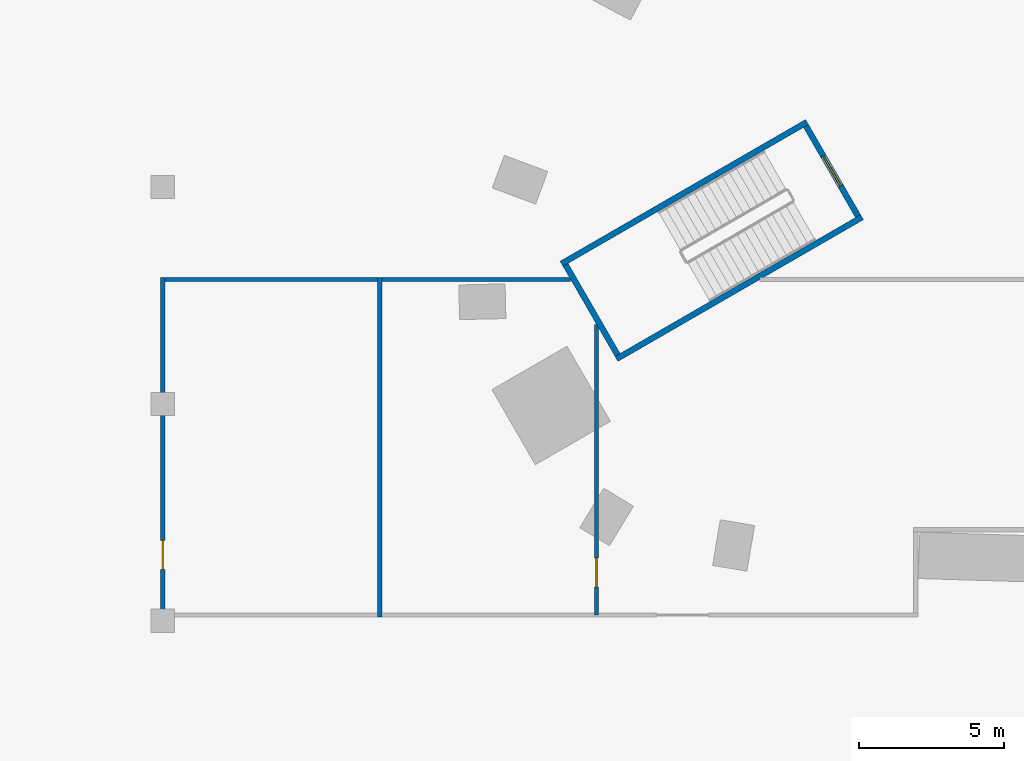
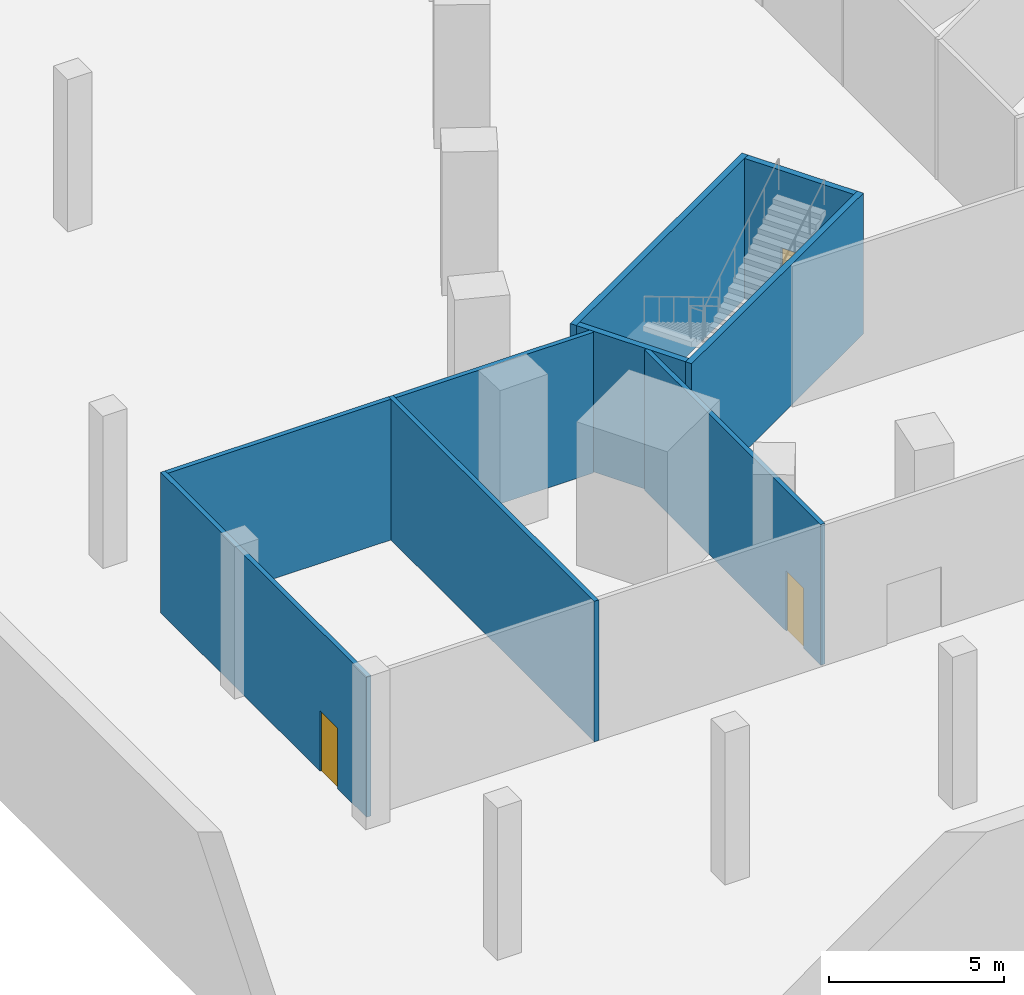
# One storey, part 3 of 20: 9 walls, 3 doors, 3 openings.
"""IFC4 building model written with IfcOpenShell, lengths in metres."""

from ifc_helpers import new_model, si_unit, direction, frame, frame_2d, origin, place, context, subcontext, project, spatial, rectangle, extrude, material, layer, layer_set, type_object, element, fill, save


model = new_model("IFC4")

# Units and contexts
model_context = context("Model", 3, precision=1e-05, world=origin(), true_north=direction((0.0, 1.0)))
body_context = subcontext(model_context, "Body", "Model", "MODEL_VIEW")
ifc_project = project(units=[si_unit("LENGTHUNIT", "METRE"), si_unit("AREAUNIT", "SQUARE_METRE"), si_unit("VOLUMEUNIT", "CUBIC_METRE"), si_unit("PLANEANGLEUNIT", "RADIAN"), si_unit("MASSUNIT", "GRAM", prefix="KILO")], contexts=[model_context])

# Site, building, storey
site_placement = place(None, origin())
site = spatial("IfcSite", under=ifc_project, at=site_placement, CompositionType="ELEMENT")
building_placement = place(site_placement, origin())
building = spatial("IfcBuilding", under=site, at=building_placement, Name="Entoto Arch Interchange Tower", CompositionType="ELEMENT")
storey_placement = place(building_placement, frame((0.0, 0.0, -5.5)))
storey = spatial("IfcBuildingStorey", under=building, at=storey_placement, Name="B1", CompositionType="ELEMENT", Elevation=-5.5)

# Wall
ifc_material_1 = material(Name="Gypsum board partition on steel studs", Category="steel")
ifc_layer_1 = layer(ifc_material_1, 0.14990234375)
ifc_layer_set_1 = layer_set([ifc_layer_1], Name="Gypsum board partition on steel studs")
wall_type_1 = type_object("IfcWallType", Name="PARTITION 150", PredefinedType="PARTITIONING", material=ifc_layer_set_1)
wall_1_placement = place(storey_placement, frame((-52.425048828125, -18.199951171875, 0.0), z_axis=(0.0, 0.0, 1.0), x_axis=(1.0, 0.0, 0.0)))
element("IfcWall", 1, at=wall_1_placement, inside=storey, type_object=wall_type_1, Name="wall:B1:p053", PredefinedType="PARTITIONING", context=body_context, shape_type="SweptSolid", body=[
    extrude(rectangle(XDim=7.35009765625, YDim=0.14990234375, at=frame_2d((3.675048828125, 0.0))), origin(), (0.0, 0.0, 1.0), 4.89990234375),
])

# Wall, opening, door
wall_2_placement = place(storey_placement, frame((-52.5, -29.875, 0.0), z_axis=(0.0, 0.0, 1.0), x_axis=(0.0, 1.0, 0.0)))
wall_2 = element("IfcWall", 2, at=wall_2_placement, inside=storey, type_object=wall_type_1, Name="wall:B1:p055", PredefinedType="PARTITIONING", context=body_context, shape_type="SweptSolid", body=[
    extrude(rectangle(XDim=11.75, YDim=0.14990234375, at=frame_2d((5.875, 0.0))), origin(), (0.0, 0.0, 1.0), 4.89990234375),
])
opening_1_placement = place(wall_2_placement, frame((1.655029296875, 0.0, 0.0)))
opening_1 = element("IfcOpeningElement", 3, at=opening_1_placement, cuts=wall_2, Name="Opening B1-D20", PredefinedType="OPENING", context=body_context, shape_type="SweptSolid", body=[
    extrude(rectangle(XDim=1.0, YDim=2.10009765625, at=frame_2d((0.5, 1.050048828125))), frame((0.0, 0.0849609375, 0.0), z_axis=(0.0, -1.0, 0.0), x_axis=(1.0, 0.0, 0.0)), (0.0, 0.0, 1.0), 0.169921875),
])
ifc_material_2 = material(Name="Timber door leaf in Steel S235 frame", Category="steel")
door_type_1 = type_object("IfcDoorType", Name="DOOR DS-10 1000x2100", OperationType="SINGLE_SWING_LEFT", PredefinedType="DOOR", material=ifc_material_2)
door_1_placement = place(opening_1_placement, origin())
door_1 = element("IfcDoor", 4, at=door_1_placement, inside=storey, type_object=door_type_1, Name="door:B1:20", OperationType="SINGLE_SWING_RIGHT", OverallHeight=2.10009765625, OverallWidth=1.0, PredefinedType="DOOR", context=body_context, shape_type="SweptSolid", body=[
    extrude(rectangle(XDim=1.0, YDim=2.10009765625, at=frame_2d((0.5, 1.050048828125))), frame((0.0, 0.02490234375, 0.0), z_axis=(0.0, -1.0, 0.0), x_axis=(1.0, 0.0, 0.0)), (0.0, 0.0, 1.0), 0.050048828125),
])
fill(opening_1, door_1)

# Walls
wall_3_placement = place(storey_placement, frame((-44.925048828125, -18.199951171875, 0.0), z_axis=(0.0, 0.0, 1.0), x_axis=(1.0, 0.0, 0.0)))
element("IfcWall", 5, at=wall_3_placement, inside=storey, type_object=wall_type_1, Name="wall:B1:p056", PredefinedType="PARTITIONING", context=body_context, shape_type="SweptSolid", body=[
    extrude(rectangle(XDim=6.531005859375, YDim=0.14990234375, at=frame_2d((3.265625, 0.0))), origin(), (0.0, 0.0, 1.0), 4.89990234375),
])
wall_4_placement = place(storey_placement, frame((-45.0, -18.125, 0.0), z_axis=(0.0, 0.0, 1.0), x_axis=(0.0, -1.0, 0.0)))
element("IfcWall", 6, at=wall_4_placement, inside=storey, type_object=wall_type_1, Name="wall:B1:p117", PredefinedType="PARTITIONING", context=body_context, shape_type="SweptSolid", body=[
    extrude(rectangle(XDim=11.75, YDim=0.14990234375, at=frame_2d((5.875, 0.0))), origin(), (0.0, 0.0, 1.0), 4.89990234375),
])

# Wall, opening, door
wall_5_placement = place(storey_placement, frame((-37.5, -19.748046875, 0.0), z_axis=(0.0, 0.0, 1.0), x_axis=(0.0, -1.0, 0.0)))
wall_5 = element("IfcWall", 7, at=wall_5_placement, inside=storey, type_object=wall_type_1, Name="wall:B1:p118", PredefinedType="PARTITIONING", context=body_context, shape_type="SweptSolid", body=[
    extrude(rectangle(XDim=10.052001953125, YDim=0.14990234375, at=frame_2d((5.02587890625, 0.0))), origin(), (0.0, 0.0, 1.0), 4.89990234375),
])
opening_2_placement = place(wall_5_placement, frame((8.080078125, 0.0, 0.0)))
opening_2 = element("IfcOpeningElement", 8, at=opening_2_placement, cuts=wall_5, Name="Opening B1-D21", PredefinedType="OPENING", context=body_context, shape_type="SweptSolid", body=[
    extrude(rectangle(XDim=1.0, YDim=2.10009765625, at=frame_2d((0.5, 1.050048828125))), frame((0.0, 0.0849609375, 0.0), z_axis=(0.0, -1.0, 0.0), x_axis=(1.0, 0.0, 0.0)), (0.0, 0.0, 1.0), 0.169921875),
])
ifc_material_3 = material(Name="Fire-rated Steel S235 door and frame", Category="steel")
door_type_2 = type_object("IfcDoorType", Name="DOOR FD-10 1000x2100", OperationType="SINGLE_SWING_LEFT", PredefinedType="DOOR", material=ifc_material_3)
door_2_placement = place(opening_2_placement, origin())
door_2 = element("IfcDoor", 9, at=door_2_placement, inside=storey, type_object=door_type_2, Name="door:B1:21", OperationType="SINGLE_SWING_LEFT", OverallHeight=2.10009765625, OverallWidth=1.0, PredefinedType="DOOR", context=body_context, shape_type="SweptSolid", body=[
    extrude(rectangle(XDim=1.0, YDim=2.10009765625, at=frame_2d((0.5, 1.050048828125))), frame((0.0, 0.02490234375, 0.0), z_axis=(0.0, -1.0, 0.0), x_axis=(1.0, 0.0, 0.0)), (0.0, 0.0, 1.0), 0.050048828125),
])
fill(opening_2, door_2)

# Walls
ifc_material_4 = material(Name="Concrete C40/50", Category="concrete")
ifc_layer_2 = layer(ifc_material_4, 0.199951171875)
ifc_layer_set_2 = layer_set([ifc_layer_2], Name="Concrete C40/50")
wall_type_2 = type_object("IfcWallType", Name="STAIR ENCLOSURE WALL 200", PredefinedType="STANDARD", material=ifc_layer_set_2)
for number, where, z_axis, x_axis, name in (
    (10, (-30.221923828125, -12.7548828125, 0.0), (0.0, 0.0, 1.0), (-0.866019227021, -0.500010698315, 0.0), "Stair wall PST-SW left"),
    (11, (-28.322021484375, -16.044921875, 0.0), (0.0, 0.0, 1.0), (-0.866019227021, -0.500010698315, 0.0), "Stair wall PST-SW right"),
):
    element("IfcWall", number, at=place(storey_placement, frame(where, z_axis=z_axis, x_axis=x_axis)), inside=storey, type_object=wall_type_2, Name=name, PredefinedType="STANDARD", context=body_context, shape_type="SweptSolid", body=[
        extrude(rectangle(XDim=9.800048828125, YDim=0.199951171875, at=frame_2d((4.89990234375, 0.0))), origin(), (0.0, 0.0, 1.0), 4.89990234375),
    ])

# Wall, opening, door
wall_6_placement = place(storey_placement, frame((-30.258056640625, -12.89111328125, 0.0), z_axis=(0.0, 0.0, 1.0), x_axis=(0.499982693035, -0.866035395735, 0.0)))
wall_6 = element("IfcWall", 12, at=wall_6_placement, inside=storey, type_object=wall_type_2, Name="Stair wall PST-SW near", PredefinedType="STANDARD", context=body_context, shape_type="SweptSolid", body=[
    extrude(rectangle(XDim=3.600341796875, YDim=0.199951171875, at=frame_2d((1.80029296875, 0.0))), origin(), (0.0, 0.0, 1.0), 4.89990234375),
])
opening_3_placement = place(wall_6_placement, frame((1.199951171875, 0.0, 0.0)))
opening_3 = element("IfcOpeningElement", 13, at=opening_3_placement, cuts=wall_6, Name="Opening SD-PST-SW-B1", PredefinedType="OPENING", context=body_context, shape_type="SweptSolid", body=[
    extrude(rectangle(XDim=1.199951171875, YDim=2.199951171875, at=frame_2d((0.60009765625, 1.10009765625))), frame((0.0, 0.10986328125, 0.0), z_axis=(0.0, -1.0, 0.0), x_axis=(1.0, 0.0, 0.0)), (0.0, 0.0, 1.0), 0.219970703125),
])
ifc_material_5 = material(Name="Steel S235", Category="steel")
door_type_3 = type_object("IfcDoorType", Name="STAIR DOOR SD2 1200x2200", OperationType="SINGLE_SWING_LEFT", PredefinedType="DOOR", material=ifc_material_5)
door_3_placement = place(opening_3_placement, origin())
door_3 = element("IfcDoor", 14, at=door_3_placement, inside=storey, type_object=door_type_3, Name="Stair door PST-SW B1", OperationType="SINGLE_SWING_LEFT", OverallHeight=2.199951171875, OverallWidth=1.199951171875, PredefinedType="DOOR", context=body_context, shape_type="SweptSolid", body=[
    extrude(rectangle(XDim=1.199951171875, YDim=2.199951171875, at=frame_2d((0.60009765625, 1.10009765625))), frame((0.0, 0.02490234375, 0.0), z_axis=(0.0, -1.0, 0.0), x_axis=(1.0, 0.0, 0.0)), (0.0, 0.0, 1.0), 0.050048828125),
])
fill(opening_3, door_3)

# Wall
wall_7_placement = place(storey_placement, frame((-38.572021484375, -17.69091796875, 0.0), z_axis=(0.0, 0.0, 1.0), x_axis=(0.49995333141, -0.866052346231, 0.0)))
element("IfcWall", 15, at=wall_7_placement, inside=storey, type_object=wall_type_2, Name="Stair wall PST-SW far", PredefinedType="STANDARD", context=body_context, shape_type="SweptSolid", body=[
    extrude(rectangle(XDim=3.600341796875, YDim=0.199951171875, at=frame_2d((1.80029296875, 0.0))), origin(), (0.0, 0.0, 1.0), 4.89990234375),
])

save(model, "model.ifc")
